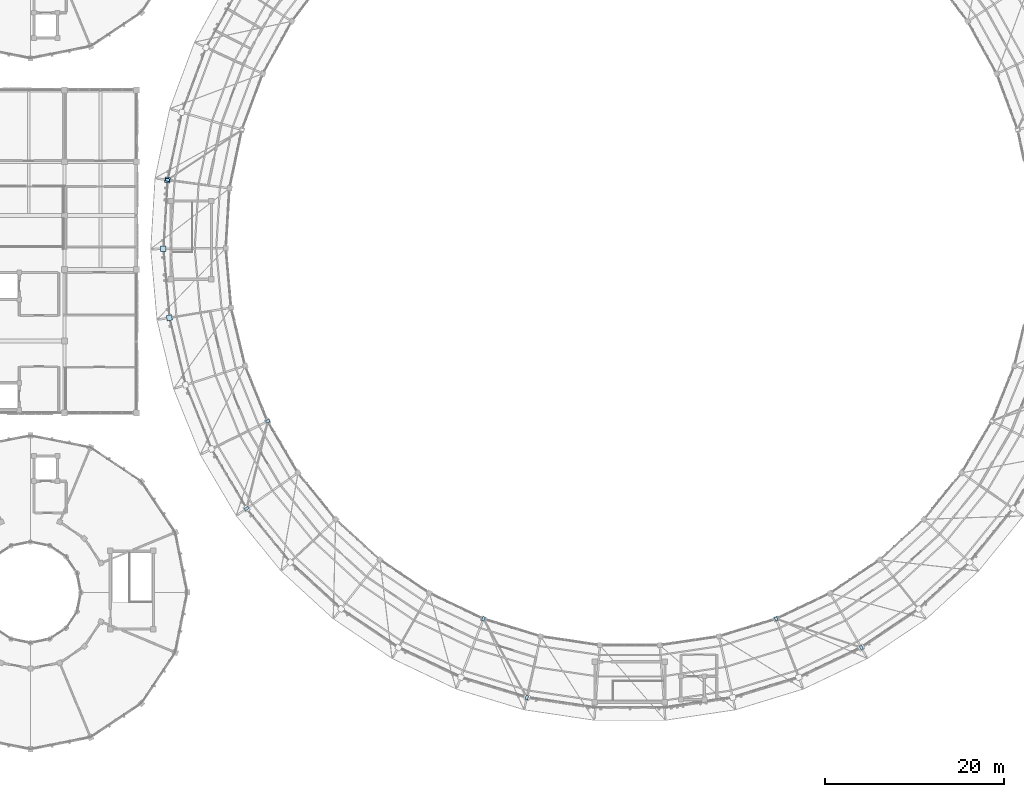
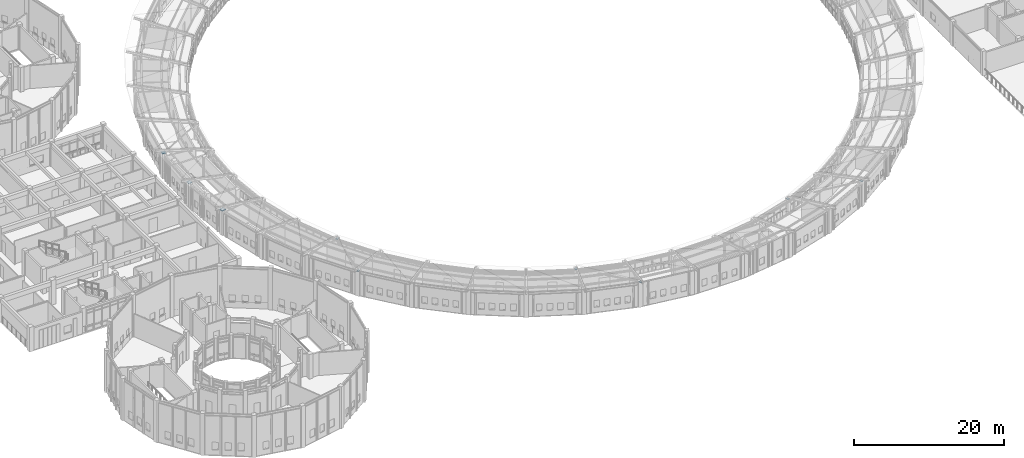
# One storey, part 112 of 149: 10 plates.
"""IFC4 building model written with IfcOpenShell, lengths in metres."""

from ifc_helpers import new_model, si_unit, direction, frame, origin, origin_2d, place, context, subcontext, project, spatial, rectangle, extrude, material, layer, layer_set, type_object, element, save


model = new_model("IFC4")

# Units and contexts
model_context = context("Model", 3, precision=1e-05, world=origin(), true_north=direction((0.0, 1.0)))
body_context = subcontext(model_context, "Body", "Model", "MODEL_VIEW")
ifc_project = project(units=[si_unit("LENGTHUNIT", "METRE"), si_unit("AREAUNIT", "SQUARE_METRE"), si_unit("VOLUMEUNIT", "CUBIC_METRE"), si_unit("PLANEANGLEUNIT", "RADIAN"), si_unit("MASSUNIT", "GRAM", prefix="KILO")], contexts=[model_context])

# Site, building, storey
site_placement = place(None, origin())
site = spatial("IfcSite", under=ifc_project, at=site_placement, CompositionType="ELEMENT")
building_placement = place(site_placement, origin())
building = spatial("IfcBuilding", under=site, at=building_placement, Name="Celadon Cloister-Ring School", CompositionType="ELEMENT")
storey_placement = place(building_placement, frame((0.0, 0.0, 12.5)))
storey = spatial("IfcBuildingStorey", under=building, at=storey_placement, Name="L03", CompositionType="ELEMENT", Elevation=12.5)

# Plates
ifc_material_1 = material(Name="Structural steel S355JR", Category="steel")
ifc_layer_1 = layer(ifc_material_1, 0.02001953125)
ifc_layer_set_1 = layer_set([ifc_layer_1], Name="Structural steel S355JR")
plate_type_1 = type_object("IfcPlateType", Name="PT-01", PredefinedType="SHEET", material=ifc_layer_set_1)
for number, where, z_axis, x_axis, name in (
    (1, (35.468994140625, 65.970947265625, 4.041015625), (0.0, 0.0, 1.0), (-0.9909738433, 0.13405536877, 0.0), "Gusset Plate 0011"),
    (2, (35.0048828125, 58.281005859375, 4.041015625), (0.0, 0.0, 1.0), (-0.999904463751, -0.013822567474, 0.0), "Gusset Plate 0012"),
    (3, (35.681884765625, 50.60693359375, 4.041015625), (0.0, 0.0, 1.0), (-0.986889540988, -0.161397130983, 0.0), "Gusset Plate 0013"),
):
    element("IfcPlate", number, at=place(storey_placement, frame(where, z_axis=z_axis, x_axis=x_axis)), inside=storey, type_object=plate_type_1, Name=name, PredefinedType="SHEET", context=body_context, shape_type="SweptSolid", body=[
        extrude(rectangle(XDim=0.60009765625, YDim=0.60009765625, at=origin_2d()), origin(), (0.0, 0.0, 1.0), 0.02001953125),
    ])
ifc_material_2 = material(Name="Structural steel S355JR", Category="steel")
ifc_layer_2 = layer(ifc_material_2, 0.011962890625)
ifc_layer_set_2 = layer_set([ifc_layer_2], Name="Structural steel S355JR")
plate_type_2 = type_object("IfcPlateType", Name="PT-04", PredefinedType="SHEET", material=ifc_layer_set_2)
for number, where, z_axis, x_axis, name in (
    (4, (35.468994140625, 65.970947265625, 3.94384765625), (0.0, 0.0, 1.0), (-0.9909738433, 0.13405536877, 0.0), "Gusset Plate 0042"),
    (5, (46.65087890625, 39.075927734375, 2.44384765625), (0.0, 0.0, 1.0), (-0.896641036785, -0.442758231039, 0.0), "Gusset Plate 0043"),
    (6, (44.2880859375, 29.341064453125, 3.94384765625), (0.0, 0.0, 1.0), (-0.821388197028, -0.57036955545, 0.0), "Gusset Plate 0044"),
    (7, (70.697998046875, 17.056884765625, 2.44384765625), (0.0, 0.0, 1.0), (-0.362275366705, -0.932071112458, 0.0), "Gusset Plate 0045"),
    (8, (75.529052734375, 8.281005859375, 3.94384765625), (0.0, 0.0, 1.0), (-0.220595296203, -0.975365426542, 0.0), "Gusset Plate 0046"),
    (9, (103.302001953125, 17.056884765625, 2.44384765625), (0.0, 0.0, 1.0), (0.362275366705, -0.932071112458, 0.0), "Gusset Plate 0047"),
    (10, (112.7919921875, 13.846923828125, 3.94384765625), (0.0, 0.0, 1.0), (0.496004347874, -0.868320037135, 0.0), "Gusset Plate 0048"),
):
    element("IfcPlate", number, at=place(storey_placement, frame(where, z_axis=z_axis, x_axis=x_axis)), inside=storey, type_object=plate_type_2, Name=name, PredefinedType="SHEET", context=body_context, shape_type="SweptSolid", body=[
        extrude(rectangle(XDim=0.449951171875, YDim=0.300048828125, at=origin_2d()), origin(), (0.0, 0.0, 1.0), 0.011962890625),
    ])

save(model, "model.ifc")
